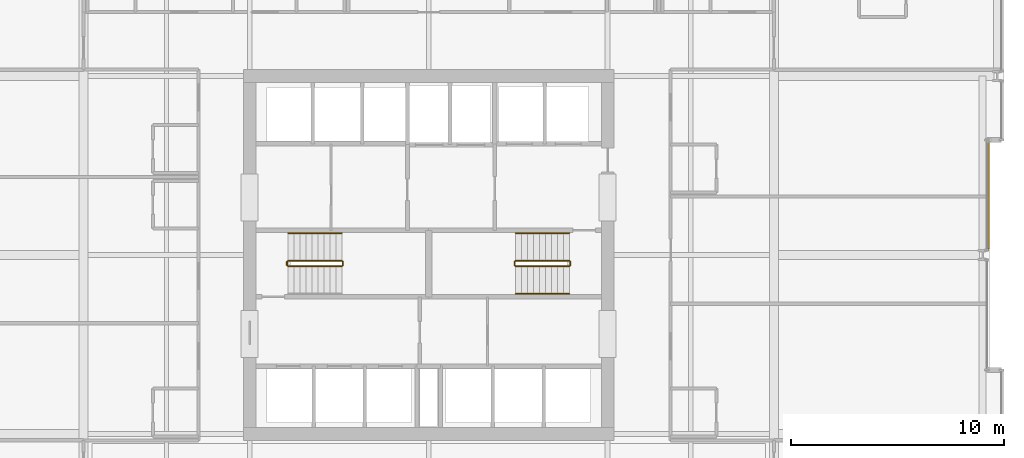
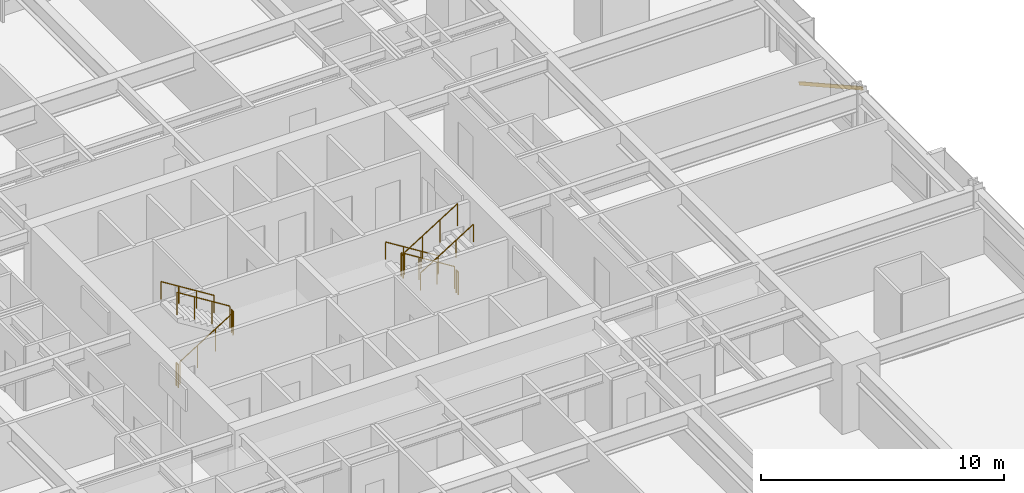
# One storey, part 37 of 38: 11 railings, 1 shading device.
"""IFC4 building model written with IfcOpenShell, lengths in metres."""

from ifc_helpers import new_model, si_unit, direction, frame, origin, origin_2d, place, context, subcontext, project, spatial, hollow_rectangle, circle, extrude, material, material_profile, profile_set, type_object, element, save


model = new_model("IFC4")

# Units and contexts
model_context = context("Model", 3, precision=1e-05, world=origin(), true_north=direction((0.0, 1.0)))
body_context = subcontext(model_context, "Body", "Model", "MODEL_VIEW")
ifc_project = project(units=[si_unit("LENGTHUNIT", "METRE"), si_unit("AREAUNIT", "SQUARE_METRE"), si_unit("VOLUMEUNIT", "CUBIC_METRE"), si_unit("PLANEANGLEUNIT", "RADIAN"), si_unit("MASSUNIT", "GRAM", prefix="KILO")], contexts=[model_context])

# Site, building, storey
site_placement = place(None, origin())
site = spatial("IfcSite", under=ifc_project, at=site_placement, CompositionType="ELEMENT")
building_placement = place(site_placement, origin())
building = spatial("IfcBuilding", under=site, at=building_placement, Name="Drelvath Grand Hotel", CompositionType="ELEMENT")
storey_placement = place(building_placement, frame((0.0, 0.0, 57.699951171875)))
storey = spatial("IfcBuildingStorey", under=building, at=storey_placement, Name="L13", CompositionType="ELEMENT", Elevation=57.699951171875)

# Railings
ifc_material_1 = material(Name="Painted Steel S275", Category="steel")
railing_type_1 = type_object("IfcRailingType", Name="Core Stair Wall Handrail 900", PredefinedType="HANDRAIL", material=ifc_material_1)
for number, where, name in (
    (1, (-4.080078125, 28.030029296875, 1.925048828125), "L13 ST-1 stair handrail 2"),
    (2, (6.60009765625, 28.030029296875, 0.175048828125), "L13 ST-2 stair handrail 1"),
):
    element("IfcRailing", number, at=place(storey_placement, frame(where)), inside=storey, type_object=railing_type_1, Name=name, PredefinedType="HANDRAIL", context=body_context, shape_type="SweptSolid", body=[
        extrude(circle(Radius=0.02392578125, at=origin_2d()), frame((0.0, 0.0, 0.8759765625), z_axis=(-0.848007534815, 0.0, 0.529984170421), x_axis=(0.0, -1.0, 0.0)), (0.0, 0.0, 1.0), 2.9716796875),
        extrude(circle(Radius=0.02099609375, at=origin_2d()), origin(), (0.0, 0.0, 1.0), 0.851806640625),
        extrude(circle(Radius=0.02099609375, at=origin_2d()), frame((-0.840087890625, 0.0, 0.52490234375)), (0.0, 0.0, 1.0), 0.851806640625),
        extrude(circle(Radius=0.02099609375, at=origin_2d()), frame((-1.679931640625, 0.0, 1.050048828125)), (0.0, 0.0, 1.0), 0.851806640625),
        extrude(circle(Radius=0.02099609375, at=origin_2d()), frame((-2.52001953125, 0.0, 1.574951171875)), (0.0, 0.0, 1.0), 0.851806640625),
    ])
railing_1_placement = place(storey_placement, frame((4.080078125, 25.169921875, 1.925048828125)))
element("IfcRailing", 3, at=railing_1_placement, inside=storey, type_object=railing_type_1, Name="L13 ST-2 stair handrail 2", PredefinedType="HANDRAIL", context=body_context, shape_type="SweptSolid", body=[
    extrude(circle(Radius=0.02392578125, at=origin_2d()), frame((0.0, 0.0, 0.8759765625), z_axis=(0.848007534815, 0.0, 0.529984170421), x_axis=(0.0, 1.0, 0.0)), (0.0, 0.0, 1.0), 2.9716796875),
    extrude(circle(Radius=0.02099609375, at=origin_2d()), origin(), (0.0, 0.0, 1.0), 0.851806640625),
    extrude(circle(Radius=0.02099609375, at=origin_2d()), frame((0.840087890625, 0.0, 0.52490234375)), (0.0, 0.0, 1.0), 0.851806640625),
    extrude(circle(Radius=0.02099609375, at=origin_2d()), frame((1.679931640625, 0.0, 1.050048828125)), (0.0, 0.0, 1.0), 0.851806640625),
    extrude(circle(Radius=0.02099609375, at=origin_2d()), frame((2.52001953125, 0.0, 1.574951171875)), (0.0, 0.0, 1.0), 0.851806640625),
])
railing_type_2 = type_object("IfcRailingType", Name="Core Stair Well Guardrail 1100", PredefinedType="GUARDRAIL", material=ifc_material_1)
railing_2_placement = place(storey_placement, frame((-6.60009765625, 26.469970703125, 0.175048828125)))
element("IfcRailing", 4, at=railing_2_placement, inside=storey, type_object=railing_type_2, Name="L13 ST-1 stair guard 1", PredefinedType="GUARDRAIL", context=body_context, shape_type="SweptSolid", body=[
    extrude(circle(Radius=0.02392578125, at=origin_2d()), frame((0.0, 0.0, 1.1259765625), z_axis=(0.848007534815, 0.0, 0.529984170421), x_axis=(0.0, 1.0, 0.0)), (0.0, 0.0, 1.0), 2.9716796875),
    extrude(circle(Radius=0.02099609375, at=origin_2d()), origin(), (0.0, 0.0, 1.0), 1.101806640625),
    extrude(circle(Radius=0.02099609375, at=origin_2d()), frame((0.840087890625, 0.0, 0.52490234375)), (0.0, 0.0, 1.0), 1.101806640625),
    extrude(circle(Radius=0.02099609375, at=origin_2d()), frame((1.679931640625, 0.0, 1.050048828125)), (0.0, 0.0, 1.0), 1.101806640625),
    extrude(circle(Radius=0.02099609375, at=origin_2d()), frame((2.52001953125, 0.0, 1.574951171875)), (0.0, 0.0, 1.0), 1.101806640625),
])
railing_3_placement = place(storey_placement, frame((-4.030029296875, 26.52001953125, 1.75)))
element("IfcRailing", 5, at=railing_3_placement, inside=storey, type_object=railing_type_2, Name="L13 ST-1 stair guard 2", PredefinedType="GUARDRAIL", context=body_context, shape_type="SweptSolid", body=[
    extrude(circle(Radius=0.02392578125, at=origin_2d()), frame((0.0, 0.0, 1.1259765625), z_axis=(0.0, 1.0, 0.0), x_axis=(-1.0, 0.0, 0.0)), (0.0, 0.0, 1.0), 0.159912109375),
    extrude(circle(Radius=0.02099609375, at=origin_2d()), origin(), (0.0, 0.0, 1.0), 1.101806640625),
    extrude(circle(Radius=0.02099609375, at=origin_2d()), frame((0.0, 0.159912109375, 0.0)), (0.0, 0.0, 1.0), 1.101806640625),
])
railing_4_placement = place(storey_placement, frame((-4.080078125, 26.72998046875, 1.925048828125)))
element("IfcRailing", 6, at=railing_4_placement, inside=storey, type_object=railing_type_2, Name="L13 ST-1 stair guard 3", PredefinedType="GUARDRAIL", context=body_context, shape_type="SweptSolid", body=[
    extrude(circle(Radius=0.02392578125, at=origin_2d()), frame((0.0, 0.0, 1.1259765625), z_axis=(-0.848007534815, 0.0, 0.529984170421), x_axis=(0.0, -1.0, 0.0)), (0.0, 0.0, 1.0), 2.9716796875),
    extrude(circle(Radius=0.02099609375, at=origin_2d()), origin(), (0.0, 0.0, 1.0), 1.101806640625),
    extrude(circle(Radius=0.02099609375, at=origin_2d()), frame((-0.840087890625, 0.0, 0.52490234375)), (0.0, 0.0, 1.0), 1.101806640625),
    extrude(circle(Radius=0.02099609375, at=origin_2d()), frame((-1.679931640625, 0.0, 1.050048828125)), (0.0, 0.0, 1.0), 1.101806640625),
    extrude(circle(Radius=0.02099609375, at=origin_2d()), frame((-2.52001953125, 0.0, 1.574951171875)), (0.0, 0.0, 1.0), 1.101806640625),
])
railing_5_placement = place(storey_placement, frame((-6.64990234375, 26.52001953125, 0.0)))
element("IfcRailing", 7, at=railing_5_placement, inside=storey, type_object=railing_type_2, Name="L13 ST-1 stair guard 4", PredefinedType="GUARDRAIL", context=body_context, shape_type="SweptSolid", body=[
    extrude(circle(Radius=0.02392578125, at=origin_2d()), frame((0.0, 0.0, 1.1259765625), z_axis=(0.0, 1.0, 0.0), x_axis=(-1.0, 0.0, 0.0)), (0.0, 0.0, 1.0), 0.159912109375),
    extrude(circle(Radius=0.02099609375, at=origin_2d()), origin(), (0.0, 0.0, 1.0), 1.101806640625),
    extrude(circle(Radius=0.02099609375, at=origin_2d()), frame((0.0, 0.159912109375, 0.0)), (0.0, 0.0, 1.0), 1.101806640625),
])
railing_6_placement = place(storey_placement, frame((6.60009765625, 26.72998046875, 0.175048828125)))
element("IfcRailing", 8, at=railing_6_placement, inside=storey, type_object=railing_type_2, Name="L13 ST-2 stair guard 1", PredefinedType="GUARDRAIL", context=body_context, shape_type="SweptSolid", body=[
    extrude(circle(Radius=0.02392578125, at=origin_2d()), frame((0.0, 0.0, 1.1259765625), z_axis=(-0.848007534815, 0.0, 0.529984170421), x_axis=(0.0, -1.0, 0.0)), (0.0, 0.0, 1.0), 2.9716796875),
    extrude(circle(Radius=0.02099609375, at=origin_2d()), origin(), (0.0, 0.0, 1.0), 1.101806640625),
    extrude(circle(Radius=0.02099609375, at=origin_2d()), frame((-0.840087890625, 0.0, 0.52490234375)), (0.0, 0.0, 1.0), 1.101806640625),
    extrude(circle(Radius=0.02099609375, at=origin_2d()), frame((-1.679931640625, 0.0, 1.050048828125)), (0.0, 0.0, 1.0), 1.101806640625),
    extrude(circle(Radius=0.02099609375, at=origin_2d()), frame((-2.52001953125, 0.0, 1.574951171875)), (0.0, 0.0, 1.0), 1.101806640625),
])
railing_7_placement = place(storey_placement, frame((4.030029296875, 26.679931640625, 1.75)))
element("IfcRailing", 9, at=railing_7_placement, inside=storey, type_object=railing_type_2, Name="L13 ST-2 stair guard 2", PredefinedType="GUARDRAIL", context=body_context, shape_type="SweptSolid", body=[
    extrude(circle(Radius=0.02392578125, at=origin_2d()), frame((0.0, 0.0, 1.1259765625), z_axis=(0.0, -1.0, 0.0), x_axis=(1.0, 0.0, 0.0)), (0.0, 0.0, 1.0), 0.159912109375),
    extrude(circle(Radius=0.02099609375, at=origin_2d()), origin(), (0.0, 0.0, 1.0), 1.101806640625),
    extrude(circle(Radius=0.02099609375, at=origin_2d()), frame((0.0, -0.159912109375, 0.0)), (0.0, 0.0, 1.0), 1.101806640625),
])
railing_8_placement = place(storey_placement, frame((4.080078125, 26.469970703125, 1.925048828125)))
element("IfcRailing", 10, at=railing_8_placement, inside=storey, type_object=railing_type_2, Name="L13 ST-2 stair guard 3", PredefinedType="GUARDRAIL", context=body_context, shape_type="SweptSolid", body=[
    extrude(circle(Radius=0.02392578125, at=origin_2d()), frame((0.0, 0.0, 1.1259765625), z_axis=(0.848007534815, 0.0, 0.529984170421), x_axis=(0.0, 1.0, 0.0)), (0.0, 0.0, 1.0), 2.9716796875),
    extrude(circle(Radius=0.02099609375, at=origin_2d()), origin(), (0.0, 0.0, 1.0), 1.101806640625),
    extrude(circle(Radius=0.02099609375, at=origin_2d()), frame((0.840087890625, 0.0, 0.52490234375)), (0.0, 0.0, 1.0), 1.101806640625),
    extrude(circle(Radius=0.02099609375, at=origin_2d()), frame((1.679931640625, 0.0, 1.050048828125)), (0.0, 0.0, 1.0), 1.101806640625),
    extrude(circle(Radius=0.02099609375, at=origin_2d()), frame((2.52001953125, 0.0, 1.574951171875)), (0.0, 0.0, 1.0), 1.101806640625),
])
railing_9_placement = place(storey_placement, frame((6.64990234375, 26.679931640625, 0.0)))
element("IfcRailing", 11, at=railing_9_placement, inside=storey, type_object=railing_type_2, Name="L13 ST-2 stair guard 4", PredefinedType="GUARDRAIL", context=body_context, shape_type="SweptSolid", body=[
    extrude(circle(Radius=0.02392578125, at=origin_2d()), frame((0.0, 0.0, 1.1259765625), z_axis=(0.0, -1.0, 0.0), x_axis=(1.0, 0.0, 0.0)), (0.0, 0.0, 1.0), 0.159912109375),
    extrude(circle(Radius=0.02099609375, at=origin_2d()), origin(), (0.0, 0.0, 1.0), 1.101806640625),
    extrude(circle(Radius=0.02099609375, at=origin_2d()), frame((0.0, -0.159912109375, 0.0)), (0.0, 0.0, 1.0), 1.101806640625),
])

# Shading device
ifc_material_2 = material(Name="Warm Bronze Anodised Aluminium", Category="aluminium")
ifc_material_profile = material_profile(ifc_material_2, hollow_rectangle(XDim=0.06494140625, YDim=0.159912109375, WallThickness=0.00390625, at=origin_2d()), Name="HSS160X65X4")
ifc_profile_set = profile_set([ifc_material_profile], Name="Warm Bronze Anodised Aluminium")
shading_device_type = type_object("IfcShadingDeviceType", Name="Diagonal Solar Fin Warm Bronze Anodised HSS160X65X4", PredefinedType="USERDEFINED", material=ifc_profile_set)
shading_device_placement = place(storey_placement, frame((26.280029296875, 32.39990234375, 0.179931640625), z_axis=(0.0, -0.873145760887, 0.487459208801), x_axis=(1.0, 0.0, 0.0)))
element("IfcShadingDevice", 12, at=shading_device_placement, inside=storey, type_object=shading_device_type, Name="L13 Diagonal Anodised Fin CW02-L13-EM2", ObjectType="FIN", PredefinedType="USERDEFINED", context=body_context, shape_type="SweptSolid", body=[
    extrude(hollow_rectangle(XDim=0.06494140625, YDim=0.159912109375, WallThickness=0.00390625, at=origin_2d()), origin(), (0.0, 0.0, 1.0), 5.908447265625),
])

save(model, "model.ifc")
